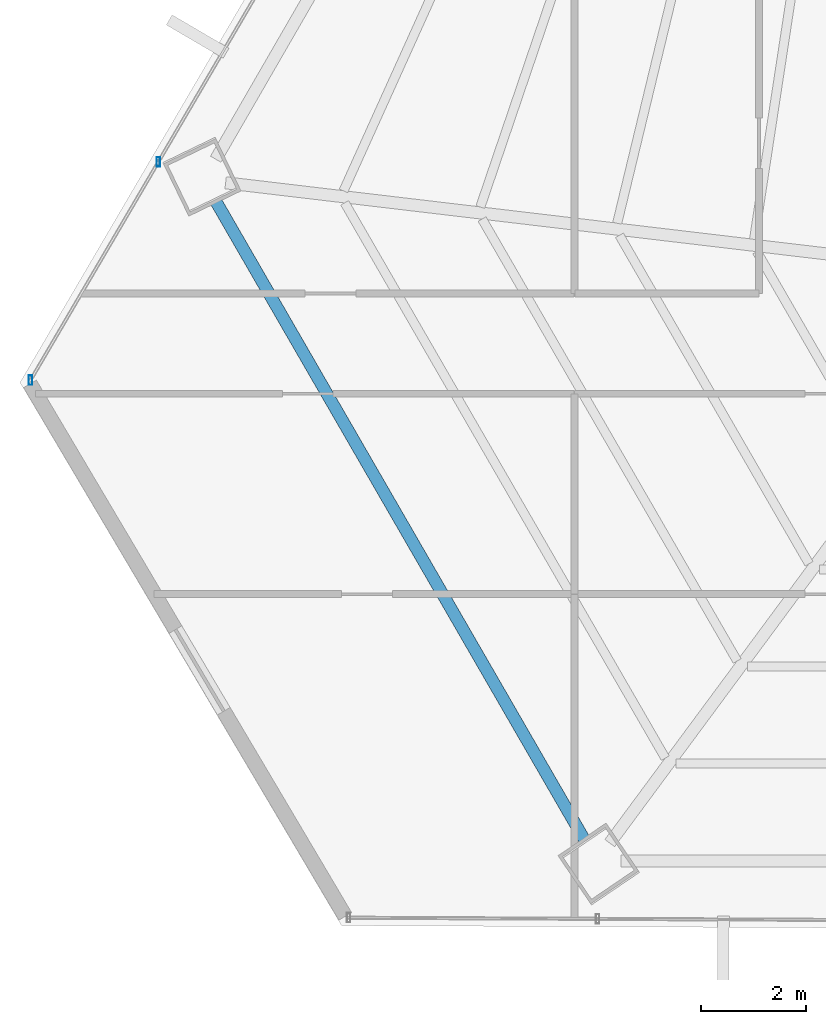
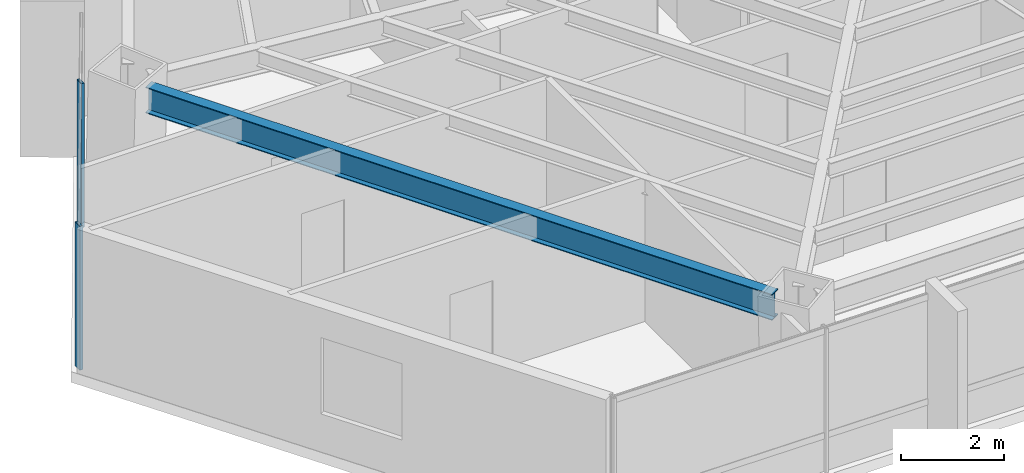
# One storey, part 6 of 37: 2 members, 1 beam, 1 element without a shape of its own.
"""IFC4 building model written with IfcOpenShell, lengths in metres."""

from ifc_helpers import new_model, si_unit, direction, frame, origin, origin_2d, place, context, subcontext, project, spatial, hollow_rectangle, i_section, extrude, source, transform, mapped, material, material_profile, profile_set, type_object, type_shapes, element, aggregate, save


model = new_model("IFC4")

# Units and contexts
model_context = context("Model", 3, precision=1e-05, world=origin(), true_north=direction((0.0, 1.0)))
body_context = subcontext(model_context, "Body", "Model", "MODEL_VIEW")
ifc_project = project(units=[si_unit("LENGTHUNIT", "METRE"), si_unit("AREAUNIT", "SQUARE_METRE"), si_unit("VOLUMEUNIT", "CUBIC_METRE"), si_unit("PLANEANGLEUNIT", "RADIAN"), si_unit("MASSUNIT", "GRAM", prefix="KILO")], contexts=[model_context])

# Site, building, storey
site_placement = place(None, origin())
site = spatial("IfcSite", under=ifc_project, at=site_placement, CompositionType="ELEMENT")
building_placement = place(site_placement, origin())
building = spatial("IfcBuilding", under=site, at=building_placement, Name="Caelisora Broadcast Tower", CompositionType="ELEMENT")
storey_placement = place(building_placement, frame((0.0, 0.0, 101.75)))
storey = spatial("IfcBuildingStorey", under=building, at=storey_placement, Name="L26", CompositionType="ELEMENT", Elevation=101.75)

# Beam
ifc_material_1 = material(Name="Steel Grade 350 (AS/NZS 3679.1)", Category="steel")
ifc_material_profile_1 = material_profile(ifc_material_1, i_section(OverallWidth=0.22900390625, OverallDepth=0.611572265625, WebThickness=0.011962890625, FlangeThickness=0.01953125, at=origin_2d()), Name="Steel Grade 350 (AS/NZS 3679.1)")
ifc_profile_set_1 = profile_set([ifc_material_profile_1], Name="Steel Grade 350 (AS/NZS 3679.1)")
beam_type = type_object("IfcBeamType", Name="PG03", PredefinedType="BEAM", material=ifc_profile_set_1)
shared_shape_1 = source(origin(), body_context, "Body", "SweptSolid", [
    extrude(i_section(OverallWidth=0.22900390625, OverallDepth=0.611572265625, WebThickness=0.011962890625, FlangeThickness=0.01953125, at=origin_2d()), origin(), (0.0, 0.0, 1.0), 13.986083984375),
])
type_shapes(beam_type, [shared_shape_1])
beam_placement = place(storey_placement, frame((15.0966796875, 18.851806640625, 3.09423828125), z_axis=(0.500006525586, -0.866021636203, 0.0), x_axis=(0.866021636203, 0.500006525586, 0.0)))
element("IfcBeam", 1, at=beam_placement, inside=storey, type_object=beam_type, Name="L26 beam PG03", PredefinedType="BEAM", context=body_context, shape_type="MappedRepresentation", body=[
    mapped(shared_shape_1, transform((0.0, 0.0, 0.0), scale=1.0)),
])

# Curtain wall, members
ifc_material_2 = material(Name="Unitised Aluminium and Low-E Glass Curtain Wall", Category="glass")
curtain_wall_type = type_object("IfcCurtainWallType", Name="CW-Z2", PredefinedType="NOTDEFINED", material=ifc_material_2)
curtain_wall_placement = place(storey_placement, origin())
curtain_wall = element("IfcCurtainWall", 2, at=curtain_wall_placement, inside=storey, type_object=curtain_wall_type, Name="L26 curtain wall CW-Z2", PredefinedType="NOTDEFINED")
ifc_material_3 = material(Name="Aluminium 6063-T6 Anodised Terracotta Bronze", Category="aluminium")
ifc_material_profile_2 = material_profile(ifc_material_3, hollow_rectangle(XDim=0.06494140625, YDim=0.179931640625, WallThickness=0.00341796875, at=origin_2d()), Name="Aluminium 6063-T6 Anodised Terracotta Bronze")
ifc_profile_set_2 = profile_set([ifc_material_profile_2], Name="Aluminium 6063-T6 Anodised Terracotta Bronze")
member_type = type_object("IfcMemberType", Name="CWM-02", PredefinedType="MULLION", material=ifc_profile_set_2)
shared_shape_2 = source(origin(), body_context, "Body", "SweptSolid", [
    extrude(hollow_rectangle(XDim=0.06494140625, YDim=0.179931640625, WallThickness=0.00341796875, at=origin_2d()), origin(), (0.0, 0.0, 1.0), 3.39990234375),
])
type_shapes(member_type, [shared_shape_2])
member_1_placement = place(storey_placement, frame((11.583251953125, 15.4560546875, 0.0), z_axis=(0.0, 0.0, 1.0), x_axis=(1.0, 0.0, 0.0)))
member_1 = element("IfcMember", 3, at=member_1_placement, type_object=member_type, Name="L26-CW-B09 mullion #0", PredefinedType="MULLION", context=body_context, shape_type="MappedRepresentation", body=[
    mapped(shared_shape_2, transform((0.0, 0.0, 0.0), scale=1.0)),
])
member_2_placement = place(storey_placement, frame((14.009033203125, 19.59716796875, 0.0), z_axis=(0.0, 0.0, 1.0), x_axis=(1.0, 0.0, 0.0)))
member_2 = element("IfcMember", 4, at=member_2_placement, type_object=member_type, Name="L26-CW-B09 mullion #1", PredefinedType="MULLION", context=body_context, shape_type="MappedRepresentation", body=[
    mapped(shared_shape_2, transform((0.0, 0.0, 0.0), scale=1.0)),
])
aggregate(curtain_wall, [member_1, member_2])

save(model, "model.ifc")
